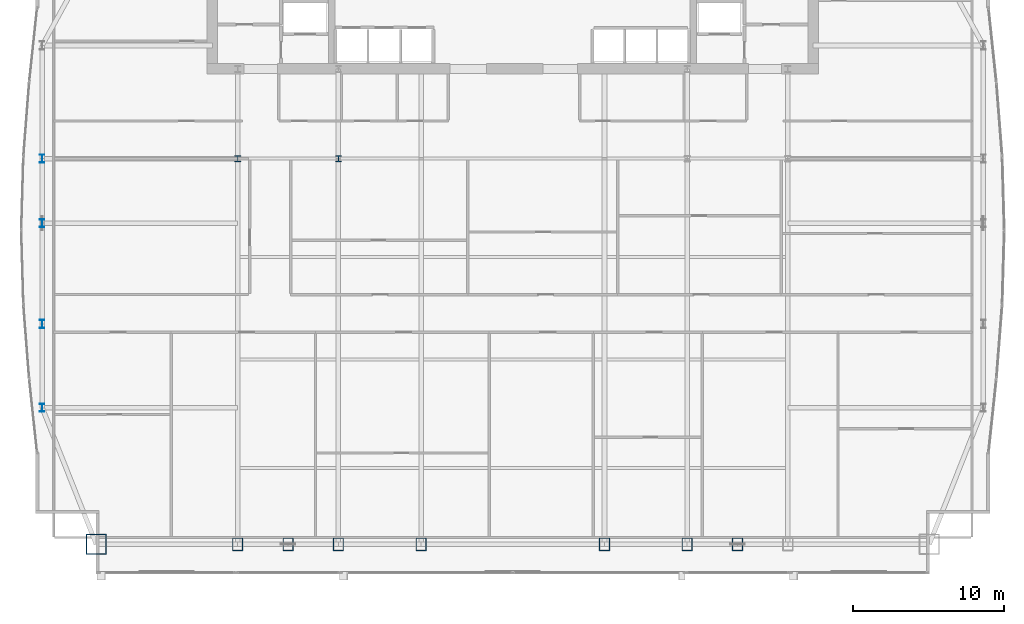
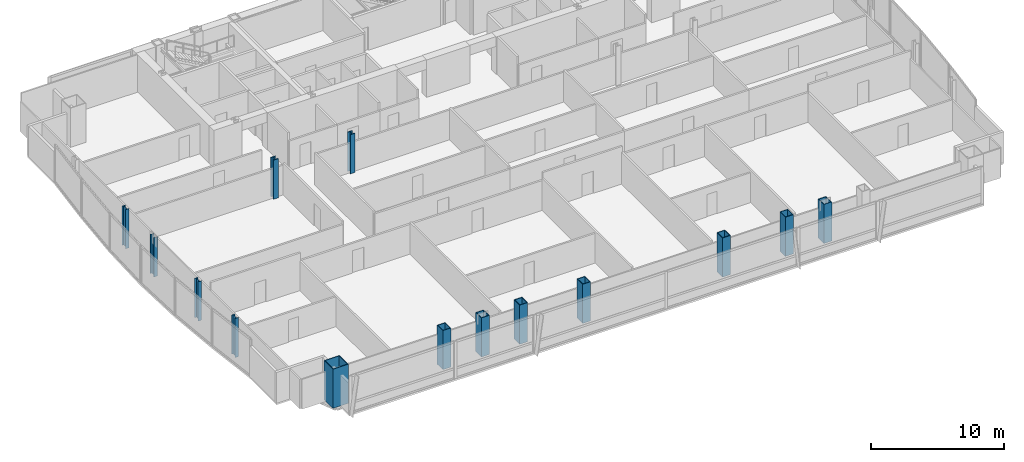
# One storey, part 1 of 29: 14 columns.
"""IFC4 building model written with IfcOpenShell, lengths in metres."""

from ifc_helpers import new_model, si_unit, direction, frame, origin, origin_2d, place, context, subcontext, project, spatial, hollow_rectangle, i_section, extrude, material, material_profile, profile_set, type_object, element, save


model = new_model("IFC4")

# Units and contexts
model_context = context("Model", 3, precision=1e-05, world=origin(), true_north=direction((0.0, 1.0)))
body_context = subcontext(model_context, "Body", "Model", "MODEL_VIEW")
ifc_project = project(units=[si_unit("LENGTHUNIT", "METRE"), si_unit("AREAUNIT", "SQUARE_METRE"), si_unit("VOLUMEUNIT", "CUBIC_METRE"), si_unit("PLANEANGLEUNIT", "RADIAN"), si_unit("MASSUNIT", "GRAM", prefix="KILO")], contexts=[model_context])

# Site, building, storey
site_placement = place(None, origin())
site = spatial("IfcSite", under=ifc_project, at=site_placement, CompositionType="ELEMENT")
building_placement = place(site_placement, origin())
building = spatial("IfcBuilding", under=site, at=building_placement, Name="Khoronbel Lancet Exchange", CompositionType="ELEMENT")
storey_placement = place(building_placement, frame((0.0, 0.0, 143.39990234375)))
storey = spatial("IfcBuildingStorey", under=building, at=storey_placement, Name="L35", CompositionType="ELEMENT", Elevation=143.39990234375)

# Columns
ifc_material_1 = material(Name="Steel S460", Category="steel")
ifc_material_profile_1 = material_profile(ifc_material_1, hollow_rectangle(XDim=0.699951171875, YDim=0.85009765625, WallThickness=0.050048828125, at=origin_2d()), Name="BOX 850x700x50")
ifc_profile_set_1 = profile_set([ifc_material_profile_1], Name="Steel S460")
column_type_1 = type_object("IfcColumnType", Name="COL-EC2", PredefinedType="COLUMN", material=ifc_profile_set_1)
for number, where, z_axis, x_axis, name in (
    (1, (18.22509765625, 10.14990234375, 0.0), (0.0, 0.0, 1.0), (1.0, 0.0, 0.0), "Structural column SC-W1 L35"),
    (2, (21.5625, 10.14990234375, 0.0), (0.0, 0.0, 1.0), (1.0, 0.0, 0.0), "Structural column SC-WM L35"),
    (3, (24.89990234375, 10.14990234375, 0.0), (0.0, 0.0, 1.0), (1.0, 0.0, 0.0), "Structural column SC-W2 L35"),
    (4, (30.375, 10.14990234375, 0.0), (0.0, 0.0, 1.0), (1.0, 0.0, 0.0), "Structural column SC-C1 L35"),
    (5, (42.52490234375, 10.14990234375, 0.0), (0.0, 0.0, 1.0), (1.0, 0.0, 0.0), "Structural column SC-C2 L35"),
    (6, (48.0, 10.14990234375, 0.0), (0.0, 0.0, 1.0), (1.0, 0.0, 0.0), "Structural column SC-E1 L35"),
    (7, (51.33740234375, 10.14990234375, 0.0), (0.0, 0.0, 1.0), (1.0, 0.0, 0.0), "Structural column SC-EM L35"),
):
    element("IfcColumn", number, at=place(storey_placement, frame(where, z_axis=z_axis, x_axis=x_axis)), inside=storey, type_object=column_type_1, Name=name, PredefinedType="COLUMN", context=body_context, shape_type="SweptSolid", body=[
        extrude(hollow_rectangle(XDim=0.699951171875, YDim=0.85009765625, WallThickness=0.050048828125, at=origin_2d()), origin(), (0.0, 0.0, 1.0), 3.60009765625),
    ])
ifc_material_profile_2 = material_profile(ifc_material_1, i_section(OverallWidth=0.416015625, OverallDepth=0.446044921875, WebThickness=0.0390625, FlangeThickness=0.062744140625, at=origin_2d()), Name="HD 400x509")
ifc_profile_set_2 = profile_set([ifc_material_profile_2], Name="Steel S460")
column_type_2 = type_object("IfcColumnType", Name="COL-IC2", PredefinedType="COLUMN", material=ifc_profile_set_2)
for number, where, z_axis, x_axis, name in (
    (8, (18.22509765625, 35.699951171875, 0.0), (0.0, 0.0, 1.0), (1.0, 0.0, 0.0), "Spine gravity column TC1 L35"),
    (9, (24.89990234375, 35.699951171875, 0.0), (0.0, 0.0, 1.0), (1.0, 0.0, 0.0), "Spine gravity column TC2 L35"),
):
    element("IfcColumn", number, at=place(storey_placement, frame(where, z_axis=z_axis, x_axis=x_axis)), inside=storey, type_object=column_type_2, Name=name, PredefinedType="COLUMN", context=body_context, shape_type="SweptSolid", body=[
        extrude(i_section(OverallWidth=0.416015625, OverallDepth=0.446044921875, WebThickness=0.0390625, FlangeThickness=0.062744140625, at=origin_2d()), origin(), (0.0, 0.0, 1.0), 3.60009765625),
    ])
ifc_material_2 = material(Name="Steel S355", Category="steel")
ifc_material_profile_3 = material_profile(ifc_material_2, i_section(OverallWidth=0.300048828125, OverallDepth=0.550048828125, WebThickness=0.014892578125, FlangeThickness=0.029052734375, at=origin_2d()), Name="HEB 550")
ifc_profile_set_3 = profile_set([ifc_material_profile_3], Name="Steel S355")
column_type_3 = type_object("IfcColumnType", Name="COL-LC1", PredefinedType="COLUMN", material=ifc_profile_set_3)
for number, where, z_axis, x_axis, name in (
    (10, (5.27001953125, 19.199951171875, 0.0), (0.0, 0.0, 1.0), (1.0, 0.0, 0.0), "Structural column WC-1 L35"),
    (11, (5.27001953125, 24.75, 0.0), (0.0, 0.0, 1.0), (1.0, 0.0, 0.0), "Structural column WC-2 L35"),
    (12, (5.27001953125, 31.425048828125, 0.0), (0.0, 0.0, 1.0), (1.0, 0.0, 0.0), "Structural column WC-M L35"),
    (13, (5.27001953125, 35.699951171875, 0.0), (0.0, 0.0, 1.0), (1.0, 0.0, 0.0), "Structural column WC-3 L35"),
):
    element("IfcColumn", number, at=place(storey_placement, frame(where, z_axis=z_axis, x_axis=x_axis)), inside=storey, type_object=column_type_3, Name=name, PredefinedType="COLUMN", context=body_context, shape_type="SweptSolid", body=[
        extrude(i_section(OverallWidth=0.300048828125, OverallDepth=0.550048828125, WebThickness=0.014892578125, FlangeThickness=0.029052734375, at=origin_2d()), origin(), (0.0, 0.0, 1.0), 3.60009765625),
    ])
ifc_material_profile_4 = material_profile(ifc_material_1, hollow_rectangle(XDim=1.35009765625, YDim=1.35009765625, WallThickness=0.06494140625, at=origin_2d()), Name="BOX 1350x1350x65")
ifc_profile_set_4 = profile_set([ifc_material_profile_4], Name="Steel S460")
column_type_4 = type_object("IfcColumnType", Name="COL-MC4", PredefinedType="COLUMN", material=ifc_profile_set_4)
column_placement = place(storey_placement, frame((8.85009765625, 10.14990234375, 0.0), z_axis=(0.0, 0.0, 1.0), x_axis=(1.0, 0.0, 0.0)))
element("IfcColumn", 14, at=column_placement, inside=storey, type_object=column_type_4, Name="Structural column MC-SW L35", PredefinedType="COLUMN", context=body_context, shape_type="SweptSolid", body=[
    extrude(hollow_rectangle(XDim=1.35009765625, YDim=1.35009765625, WallThickness=0.06494140625, at=origin_2d()), origin(), (0.0, 0.0, 1.0), 3.60009765625),
])

save(model, "model.ifc")
